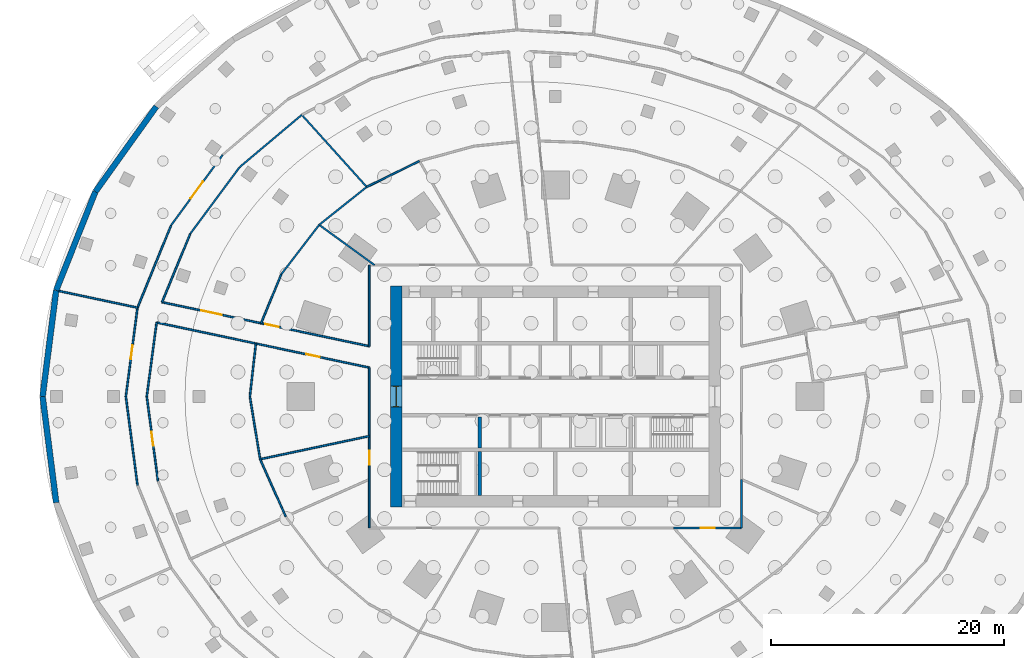
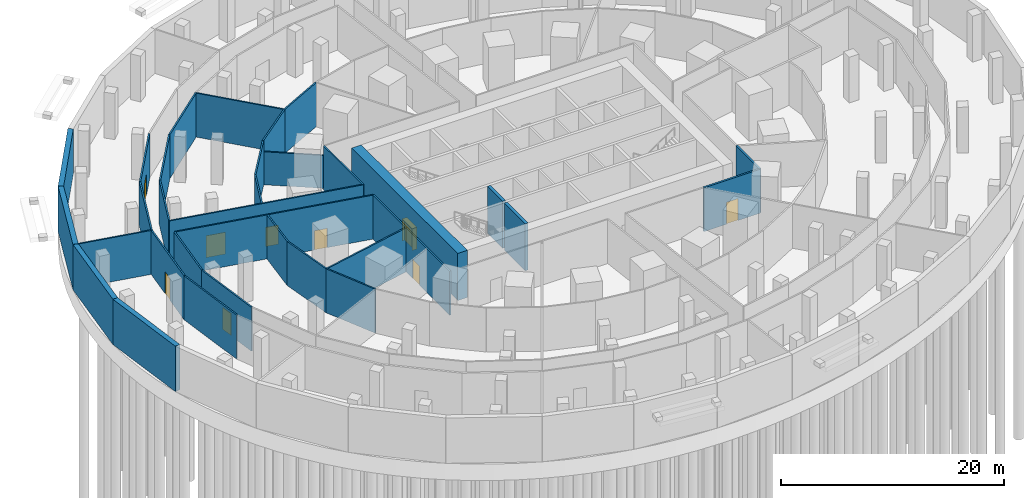
# One storey, part 5 of 11: 33 walls, 9 doors, 9 openings.
"""IFC4 building model written with IfcOpenShell, lengths in metres."""

from ifc_helpers import new_model, si_unit, direction, frame, frame_2d, origin, place, context, subcontext, project, spatial, rectangle, extrude, material, layer, layer_set, type_object, element, fill, save


model = new_model("IFC4")

# Units and contexts
model_context = context("Model", 3, precision=1e-05, world=origin(), true_north=direction((0.0, 1.0)))
body_context = subcontext(model_context, "Body", "Model", "MODEL_VIEW")
ifc_project = project(units=[si_unit("LENGTHUNIT", "METRE"), si_unit("AREAUNIT", "SQUARE_METRE"), si_unit("VOLUMEUNIT", "CUBIC_METRE"), si_unit("PLANEANGLEUNIT", "RADIAN"), si_unit("MASSUNIT", "GRAM", prefix="KILO")], contexts=[model_context])

# Site, building, storey
site_placement = place(None, origin())
site = spatial("IfcSite", under=ifc_project, at=site_placement, CompositionType="ELEMENT")
building_placement = place(site_placement, origin())
building = spatial("IfcBuilding", under=site, at=building_placement, Name="Marramba Exchange Tower", CompositionType="ELEMENT")
storey_placement = place(building_placement, frame((0.0, 0.0, -5.0)))
storey = spatial("IfcBuildingStorey", under=building, at=storey_placement, Name="B1", CompositionType="ELEMENT", Elevation=-5.0)

# Walls
ifc_material_1 = material(Name="Concrete N50", Category="concrete")
ifc_layer_1 = layer(ifc_material_1, 0.5)
ifc_layer_set_1 = layer_set([ifc_layer_1], Name="Basement retaining wall 500")
wall_type_1 = type_object("IfcWallType", Name="Basement retaining wall 500", PredefinedType="SOLIDWALL", material=ifc_layer_set_1)
wall_1_placement = place(storey_placement, frame((-34.32275390625, 24.93701171875, -0.14990234375), z_axis=(0.0, 0.0, 1.0), x_axis=(-0.581684414847, -0.813414556991, 0.0)))
element("IfcWall", 1, at=wall_1_placement, inside=storey, type_object=wall_type_1, Name="Retaining wall RW1-13", PredefinedType="SOLIDWALL", context=body_context, shape_type="SweptSolid", body=[
    extrude(rectangle(XDim=9.003662109375, YDim=0.5, at=frame_2d((4.501953125, 0.0))), origin(), (0.0, 0.0, 1.0), 4.949951171875),
])
wall_2_placement = place(storey_placement, frame((-39.56005859375, 17.61328125, -0.14990234375), z_axis=(0.0, 0.0, 1.0), x_axis=(-0.369269619769, -0.929322305724, 0.0)))
element("IfcWall", 2, at=wall_2_placement, inside=storey, type_object=wall_type_1, Name="Retaining wall RW1-14", PredefinedType="SOLIDWALL", context=body_context, shape_type="SweptSolid", body=[
    extrude(rectangle(XDim=9.133056640625, YDim=0.5, at=frame_2d((4.56640625, 0.0))), origin(), (0.0, 0.0, 1.0), 4.949951171875),
])
for number, where, z_axis, x_axis, name in (
    (3, (-42.9326171875, 9.125732421875, -0.14990234375), (0.0, 0.0, 1.0), (-0.126898549527, -0.99191570112, 0.0), "Retaining wall RW1-15"),
    (4, (-44.10009765625, 0.0, -0.14990234375), (0.0, 0.0, 1.0), (0.126898549527, -0.99191570112, 0.0), "Retaining wall RW1-16"),
):
    element("IfcWall", number, at=place(storey_placement, frame(where, z_axis=z_axis, x_axis=x_axis)), inside=storey, type_object=wall_type_1, Name=name, PredefinedType="SOLIDWALL", context=body_context, shape_type="SweptSolid", body=[
        extrude(rectangle(XDim=9.2001953125, YDim=0.5, at=frame_2d((4.60009765625, 0.0))), origin(), (0.0, 0.0, 1.0), 4.949951171875),
    ])

# Wall, opening, door
ifc_layer_2 = layer(ifc_material_1, 1.0)
ifc_layer_set_2 = layer_set([ifc_layer_2], Name="Core wall 1000")
wall_type_2 = type_object("IfcWallType", Name="Core wall 1000", PredefinedType="SHEAR", material=ifc_layer_set_2)
wall_3_placement = place(storey_placement, frame((-13.699951171875, 9.5, -0.14990234375), z_axis=(0.0, 0.0, 1.0), x_axis=(0.0, -1.0, 0.0)))
wall_3 = element("IfcWall", 5, at=wall_3_placement, inside=storey, type_object=wall_type_2, Name="Core wall W B1", PredefinedType="SHEAR", context=body_context, shape_type="SweptSolid", body=[
    extrude(rectangle(XDim=19.0, YDim=1.0, at=frame_2d((9.5, 0.0))), origin(), (0.0, 0.0, 1.0), 5.14990234375),
])
opening_1_placement = place(wall_3_placement, frame((8.60009765625, 0.0, 0.14990234375)))
opening_1 = element("IfcOpeningElement", 6, at=opening_1_placement, cuts=wall_3, Name="Opening D1", PredefinedType="OPENING", context=body_context, shape_type="SweptSolid", body=[
    extrude(rectangle(XDim=1.800048828125, YDim=2.39990234375, at=frame_2d((0.89990234375, 1.199951171875))), frame((0.0, 0.510009765625, 0.0), z_axis=(0.0, -1.0, 0.0), x_axis=(1.0, 0.0, 0.0)), (0.0, 0.0, 1.0), 1.02001953125),
])
ifc_material_2 = material(Name="Steel-framed door", Category="steel")
door_type_1 = type_object("IfcDoorType", Name="Lobby exit door 1800x2400", OperationType="DOUBLE_DOOR_SINGLE_SWING", PredefinedType="DOOR", material=ifc_material_2)
door_1_placement = place(opening_1_placement, origin())
door_1 = element("IfcDoor", 7, at=door_1_placement, inside=storey, type_object=door_type_1, Name="D1 lobby exit west B1", OperationType="DOUBLE_DOOR_SINGLE_SWING", OverallHeight=2.39990234375, OverallWidth=1.800048828125, PredefinedType="DOOR", context=body_context, shape_type="SweptSolid", body=[
    extrude(rectangle(XDim=1.719970703125, YDim=2.35986328125, at=frame_2d((0.89990234375, 1.179931640625))), frame((0.0, 0.02490234375, 0.0), z_axis=(0.0, -1.0, 0.0), x_axis=(1.0, 0.0, 0.0)), (0.0, 0.0, 1.0), 0.050048828125),
    extrude(rectangle(XDim=0.04, YDim=2.39990234375, at=frame_2d((0.02001953125, 1.199951171875))), frame((0.0, 0.25, 0.0), z_axis=(0.0, -1.0, 0.0), x_axis=(1.0, 0.0, 0.0)), (0.0, 0.0, 1.0), 0.5),
    extrude(rectangle(XDim=0.04, YDim=2.39990234375, at=frame_2d((1.780029296875, 1.199951171875))), frame((0.0, 0.25, 0.0), z_axis=(0.0, -1.0, 0.0), x_axis=(1.0, 0.0, 0.0)), (0.0, 0.0, 1.0), 0.5),
    extrude(rectangle(XDim=1.719970703125, YDim=0.04, at=frame_2d((0.89990234375, 2.3798828125))), frame((0.0, 0.25, 0.0), z_axis=(0.0, -1.0, 0.0), x_axis=(1.0, 0.0, 0.0)), (0.0, 0.0, 1.0), 0.5),
])
fill(opening_1, door_1)

# Walls
ifc_layer_3 = layer(ifc_material_1, 0.300048828125)
ifc_layer_set_3 = layer_set([ifc_layer_3], Name="Core wall 300")
wall_type_3 = type_object("IfcWallType", Name="Core wall 300", PredefinedType="SHEAR", material=ifc_layer_set_3)
wall_4_placement = place(storey_placement, frame((-6.5, -1.75, -0.14990234375), z_axis=(0.0, 0.0, 1.0), x_axis=(0.0, -1.0, 0.0)))
element("IfcWall", 8, at=wall_4_placement, inside=storey, type_object=wall_type_3, Name="Core wall X0Sa B1", PredefinedType="SHEAR", context=body_context, shape_type="SweptSolid", body=[
    extrude(rectangle(XDim=2.699951171875, YDim=0.300048828125, at=frame_2d((1.35009765625, 0.0))), origin(), (0.0, 0.0, 1.0), 5.14990234375),
])
wall_5_placement = place(storey_placement, frame((-6.5, -4.75, -0.14990234375), z_axis=(0.0, 0.0, 1.0), x_axis=(0.0, -1.0, 0.0)))
element("IfcWall", 9, at=wall_5_placement, inside=storey, type_object=wall_type_3, Name="Core wall X0Sb B1", PredefinedType="SHEAR", context=body_context, shape_type="SweptSolid", body=[
    extrude(rectangle(XDim=3.75, YDim=0.300048828125, at=frame_2d((1.875, 0.0))), origin(), (0.0, 0.0, 1.0), 5.14990234375),
])

# Wall, opening, door
ifc_material_3 = material(Name="Core-filled concrete blockwork, rendered", Category="masonry")
ifc_layer_4 = layer(ifc_material_3, 0.18994140625)
ifc_layer_set_4 = layer_set([ifc_layer_4], Name="Equipment room wall 190")
wall_type_4 = type_object("IfcWallType", Name="Equipment room wall 190", PredefinedType="SOLIDWALL", material=ifc_layer_set_4)
wall_6_placement = place(storey_placement, frame((10.174560546875, -11.300048828125, 0.0), z_axis=(0.0, 0.0, 1.0), x_axis=(1.0, 0.0, 0.0)))
wall_6 = element("IfcWall", 10, at=wall_6_placement, inside=storey, type_object=wall_type_4, Name="Equipment room wall B1 51", PredefinedType="SOLIDWALL", context=body_context, shape_type="SweptSolid", body=[
    extrude(rectangle(XDim=5.825439453125, YDim=0.18994140625, at=frame_2d((2.91259765625, 0.0))), origin(), (0.0, 0.0, 1.0), 4.800048828125),
])
opening_2_placement = place(wall_6_placement, frame((2.31298828125, 0.0, 0.0)))
opening_2 = element("IfcOpeningElement", 11, at=opening_2_placement, cuts=wall_6, Name="Opening D13", PredefinedType="OPENING", context=body_context, shape_type="SweptSolid", body=[
    extrude(rectangle(XDim=1.199951171875, YDim=2.39990234375, at=frame_2d((0.60009765625, 1.199951171875))), frame((0.0, 0.10498046875, 0.0), z_axis=(0.0, -1.0, 0.0), x_axis=(1.0, 0.0, 0.0)), (0.0, 0.0, 1.0), 0.2099609375),
])
door_type_2 = type_object("IfcDoorType", Name="Tenancy entry door 1200x2400", OperationType="SINGLE_SWING_LEFT", PredefinedType="DOOR", material=ifc_material_2)
door_2_placement = place(opening_2_placement, origin())
door_2 = element("IfcDoor", 12, at=door_2_placement, inside=storey, type_object=door_type_2, Name="D13 Records Store 1 B1", OperationType="SINGLE_SWING_RIGHT", OverallHeight=2.39990234375, OverallWidth=1.199951171875, PredefinedType="DOOR", context=body_context, shape_type="SweptSolid", body=[
    extrude(rectangle(XDim=1.199951171875, YDim=2.39990234375, at=frame_2d((0.60009765625, 1.199951171875))), frame((0.0, 0.02490234375, 0.0), z_axis=(0.0, -1.0, 0.0), x_axis=(1.0, 0.0, 0.0)), (0.0, 0.0, 1.0), 0.050048828125),
])
fill(opening_2, door_2)

# Walls
wall_7_placement = place(storey_placement, frame((16.0, -11.300048828125, 0.0), z_axis=(0.0, 0.0, 1.0), x_axis=(0.0, 1.0, 0.0)))
element("IfcWall", 13, at=wall_7_placement, inside=storey, type_object=wall_type_4, Name="Equipment room wall B1 52", PredefinedType="SOLIDWALL", context=body_context, shape_type="SweptSolid", body=[
    extrude(rectangle(XDim=4.17626953125, YDim=0.18994140625, at=frame_2d((2.088134765625, 0.0))), origin(), (0.0, 0.0, 1.0), 4.800048828125),
])
ifc_material_4 = material(Name="Fire-rated plasterboard on steel studs, acoustic insulation", Category="steel")
ifc_layer_5 = layer(ifc_material_4, 0.14990234375)
ifc_layer_set_5 = layer_set([ifc_layer_5], Name="Tenancy wall 150")
wall_type_5 = type_object("IfcWallType", Name="Tenancy wall 150", PredefinedType="PARTITIONING", material=ifc_layer_set_5)
wall_8_placement = place(storey_placement, frame((-25.39306640625, -5.3974609375, 0.0), z_axis=(0.0, 0.0, 1.0), x_axis=(-0.161241932964, 0.986914909733, 0.0)))
element("IfcWall", 14, at=wall_8_placement, inside=storey, type_object=wall_type_5, Name="Tenancy wall B1 01", PredefinedType="PARTITIONING", context=body_context, shape_type="SweptSolid", body=[
    extrude(rectangle(XDim=5.468994140625, YDim=0.14990234375, at=frame_2d((2.734375, 0.0))), origin(), (0.0, 0.0, 1.0), 4.800048828125),
])

# Wall, opening, door
wall_9_placement = place(storey_placement, frame((-34.177001953125, -7.264404296875, 0.0), z_axis=(0.0, 0.0, 1.0), x_axis=(-0.131399876951, 0.991329446923, 0.0)))
wall_9 = element("IfcWall", 15, at=wall_9_placement, inside=storey, type_object=wall_type_5, Name="Tenancy wall B1 02", PredefinedType="PARTITIONING", context=body_context, shape_type="SweptSolid", body=[
    extrude(rectangle(XDim=7.327880859375, YDim=0.14990234375, at=frame_2d((3.6640625, 0.0))), origin(), (0.0, 0.0, 1.0), 4.800048828125),
])
opening_3_placement = place(wall_9_placement, frame((3.06396484375, 0.0, 0.0)))
opening_3 = element("IfcOpeningElement", 16, at=opening_3_placement, cuts=wall_9, Name="Opening D13", PredefinedType="OPENING", context=body_context, shape_type="SweptSolid", body=[
    extrude(rectangle(XDim=1.199951171875, YDim=2.39990234375, at=frame_2d((0.60009765625, 1.199951171875))), frame((0.0, 0.0849609375, 0.0), z_axis=(0.0, -1.0, 0.0), x_axis=(1.0, 0.0, 0.0)), (0.0, 0.0, 1.0), 0.169921875),
])
door_3_placement = place(opening_3_placement, origin())
door_3 = element("IfcDoor", 17, at=door_3_placement, inside=storey, type_object=door_type_2, Name="D13 Tenant Storage 1 B1", OperationType="SINGLE_SWING_RIGHT", OverallHeight=2.39990234375, OverallWidth=1.199951171875, PredefinedType="DOOR", context=body_context, shape_type="SweptSolid", body=[
    extrude(rectangle(XDim=1.199951171875, YDim=2.39990234375, at=frame_2d((0.60009765625, 1.199951171875))), frame((0.0, 0.02490234375, 0.0), z_axis=(0.0, -1.0, 0.0), x_axis=(1.0, 0.0, 0.0)), (0.0, 0.0, 1.0), 0.050048828125),
])
fill(opening_3, door_3)

# Walls
wall_10_placement = place(storey_placement, frame((-36.93994140625, 0.0, 0.0), z_axis=(0.0, 0.0, 1.0), x_axis=(0.130081531814, -0.99150330059, 0.0)))
element("IfcWall", 18, at=wall_10_placement, inside=storey, type_object=wall_type_5, Name="Tenancy wall B1 03", PredefinedType="PARTITIONING", context=body_context, shape_type="SweptSolid", body=[
    extrude(rectangle(XDim=7.704345703125, YDim=0.14990234375, at=frame_2d((3.85205078125, 0.0))), origin(), (0.0, 0.0, 1.0), 4.800048828125),
])
wall_11_placement = place(storey_placement, frame((-16.0, -3.40087890625, 0.0), z_axis=(0.0, 0.0, 1.0), x_axis=(-0.978147089661, -0.207914095214, 0.0)))
element("IfcWall", 19, at=wall_11_placement, inside=storey, type_object=wall_type_5, Name="Tenancy wall B1 04", PredefinedType="PARTITIONING", context=body_context, shape_type="SweptSolid", body=[
    extrude(rectangle(XDim=9.60302734375, YDim=0.14990234375, at=frame_2d((4.801513671875, 0.0))), origin(), (0.0, 0.0, 1.0), 4.800048828125),
])

# Wall, opening, door
wall_12_placement = place(storey_placement, frame((-16.0, 2.480712890625, 0.0), z_axis=(0.0, 0.0, 1.0), x_axis=(0.0, -1.0, 0.0)))
wall_12 = element("IfcWall", 20, at=wall_12_placement, inside=storey, type_object=wall_type_5, Name="Tenancy wall B1 05", PredefinedType="PARTITIONING", context=body_context, shape_type="SweptSolid", body=[
    extrude(rectangle(XDim=13.78076171875, YDim=0.14990234375, at=frame_2d((6.890380859375, 0.0))), origin(), (0.0, 0.0, 1.0), 4.800048828125),
])
opening_4_placement = place(wall_12_placement, frame((7.14306640625, 0.0, 0.0)))
opening_4 = element("IfcOpeningElement", 21, at=opening_4_placement, cuts=wall_12, Name="Opening D16", PredefinedType="OPENING", context=body_context, shape_type="SweptSolid", body=[
    extrude(rectangle(XDim=1.199951171875, YDim=2.10009765625, at=frame_2d((0.60009765625, 1.050048828125))), frame((0.0, 0.0849609375, 0.0), z_axis=(0.0, -1.0, 0.0), x_axis=(1.0, 0.0, 0.0)), (0.0, 0.0, 1.0), 0.169921875),
])
door_type_3 = type_object("IfcDoorType", Name="Equipment room door 1200x2100", OperationType="SINGLE_SWING_LEFT", PredefinedType="DOOR", material=ifc_material_2)
door_4_placement = place(opening_4_placement, frame((1.199951171875, 0.0, 0.0), z_axis=(0.0, 0.0, 1.0), x_axis=(-1.0, 0.0, 0.0)))
door_4 = element("IfcDoor", 22, at=door_4_placement, inside=storey, type_object=door_type_3, Name="D16 Comms Lead-In Room B1", OperationType="SINGLE_SWING_RIGHT", OverallHeight=2.10009765625, OverallWidth=1.199951171875, PredefinedType="DOOR", context=body_context, shape_type="SweptSolid", body=[
    extrude(rectangle(XDim=1.199951171875, YDim=2.10009765625, at=frame_2d((0.599853515625, 1.050048828125))), frame((0.0, 0.025146484375, 0.0), z_axis=(0.0, -1.0, 0.0), x_axis=(1.0, 0.0, 0.0)), (0.0, 0.0, 1.0), 0.050048828125),
])
fill(opening_4, door_4)

# Walls
wall_13_placement = place(storey_placement, frame((-23.19287109375, -10.326171875, 0.0), z_axis=(0.0, 0.0, 1.0), x_axis=(-0.40763198254, 0.91314630088, 0.0)))
element("IfcWall", 23, at=wall_13_placement, inside=storey, type_object=wall_type_5, Name="Tenancy wall B1 06", PredefinedType="PARTITIONING", context=body_context, shape_type="SweptSolid", body=[
    extrude(rectangle(XDim=5.3974609375, YDim=0.14990234375, at=frame_2d((2.69873046875, 0.0))), origin(), (0.0, 0.0, 1.0), 4.800048828125),
])
wall_14_placement = place(storey_placement, frame((-16.227783203125, 18.022705078125, 0.0), z_axis=(0.0, 0.0, 1.0), x_axis=(0.897697488604, 0.440612322744, 0.0)))
element("IfcWall", 24, at=wall_14_placement, inside=storey, type_object=wall_type_5, Name="Tenancy wall B1 111", PredefinedType="PARTITIONING", context=body_context, shape_type="SweptSolid", body=[
    extrude(rectangle(XDim=5.053955078125, YDim=0.14990234375, at=frame_2d((2.52685546875, 0.0))), origin(), (0.0, 0.0, 1.0), 4.800048828125),
])
wall_15_placement = place(storey_placement, frame((-16.227783203125, 18.022705078125, 0.0), z_axis=(0.0, 0.0, 1.0), x_axis=(-0.669128034885, 0.743147140835, 0.0)))
element("IfcWall", 25, at=wall_15_placement, inside=storey, type_object=wall_type_5, Name="Tenancy wall B1 113", PredefinedType="PARTITIONING", context=body_context, shape_type="SweptSolid", body=[
    extrude(rectangle(XDim=8.341552734375, YDim=0.14990234375, at=frame_2d((4.1708984375, 0.0))), origin(), (0.0, 0.0, 1.0), 4.800048828125),
])
wall_16_placement = place(storey_placement, frame((-27.1533203125, 19.72802734375, 0.0), z_axis=(0.0, 0.0, 1.0), x_axis=(0.765373437874, 0.643586435995, 0.0)))
element("IfcWall", 26, at=wall_16_placement, inside=storey, type_object=wall_type_5, Name="Tenancy wall B1 115", PredefinedType="PARTITIONING", context=body_context, shape_type="SweptSolid", body=[
    extrude(rectangle(XDim=6.982177734375, YDim=0.14990234375, at=frame_2d((3.4912109375, 0.0))), origin(), (0.0, 0.0, 1.0), 4.800048828125),
])
wall_17_placement = place(storey_placement, frame((-20.315185546875, 14.760009765625, 0.0), z_axis=(0.0, 0.0, 1.0), x_axis=(0.781542390833, 0.623852138997, 0.0)))
element("IfcWall", 27, at=wall_17_placement, inside=storey, type_object=wall_type_5, Name="Tenancy wall B1 116", PredefinedType="PARTITIONING", context=body_context, shape_type="SweptSolid", body=[
    extrude(rectangle(XDim=5.22998046875, YDim=0.14990234375, at=frame_2d((2.614990234375, 0.0))), origin(), (0.0, 0.0, 1.0), 4.800048828125),
])
wall_18_placement = place(storey_placement, frame((-15.552978515625, 11.300048828125, 0.0), z_axis=(0.0, 0.0, 1.0), x_axis=(-0.809015782442, 0.587786920372, 0.0)))
element("IfcWall", 28, at=wall_18_placement, inside=storey, type_object=wall_type_5, Name="Tenancy wall B1 117", PredefinedType="PARTITIONING", context=body_context, shape_type="SweptSolid", body=[
    extrude(rectangle(XDim=5.886474609375, YDim=0.14990234375, at=frame_2d((2.943359375, 0.0))), origin(), (0.0, 0.0, 1.0), 3.60009765625),
])

# Wall, opening, door
wall_19_placement = place(storey_placement, frame((-28.609619140625, 20.785888671875, 0.0), z_axis=(0.0, 0.0, 1.0), x_axis=(-0.590858446285, -0.806775245315, 0.0)))
wall_19 = element("IfcWall", 29, at=wall_19_placement, inside=storey, type_object=wall_type_5, Name="Tenancy wall B1 118", PredefinedType="PARTITIONING", context=body_context, shape_type="SweptSolid", body=[
    extrude(rectangle(XDim=7.522705078125, YDim=0.14990234375, at=frame_2d((3.76123046875, 0.0))), origin(), (0.0, 0.0, 1.0), 4.800048828125),
])
opening_5_placement = place(wall_19_placement, frame((2.861083984375, 0.0, 0.0)))
opening_5 = element("IfcOpeningElement", 30, at=opening_5_placement, cuts=wall_19, Name="Opening D18", PredefinedType="OPENING", context=body_context, shape_type="SweptSolid", body=[
    extrude(rectangle(XDim=1.800048828125, YDim=2.39990234375, at=frame_2d((0.89990234375, 1.199951171875))), frame((0.0, 0.0849609375, 0.0), z_axis=(0.0, -1.0, 0.0), x_axis=(1.0, 0.0, 0.0)), (0.0, 0.0, 1.0), 0.169921875),
])
door_type_4 = type_object("IfcDoorType", Name="Door pair 1800x2400", OperationType="DOUBLE_DOOR_SINGLE_SWING", PredefinedType="DOOR", material=ifc_material_2)
door_5_placement = place(opening_5_placement, origin())
door_5 = element("IfcDoor", 31, at=door_5_placement, inside=storey, type_object=door_type_4, Name="D18 Generator Room B1", OperationType="DOUBLE_DOOR_SINGLE_SWING", OverallHeight=2.39990234375, OverallWidth=1.800048828125, PredefinedType="DOOR", context=body_context, shape_type="SweptSolid", body=[
    extrude(rectangle(XDim=1.800048828125, YDim=2.39990234375, at=frame_2d((0.89990234375, 1.199951171875))), frame((0.0, 0.02490234375, 0.0), z_axis=(0.0, -1.0, 0.0), x_axis=(1.0, 0.0, 0.0)), (0.0, 0.0, 1.0), 0.050048828125),
])
fill(opening_5, door_5)

# Walls
wall_20_placement = place(storey_placement, frame((-31.41015625, 13.984619140625, 0.0), z_axis=(0.0, 0.0, 1.0), x_axis=(0.595449673077, 0.803392610641, 0.0)))
element("IfcWall", 32, at=wall_20_placement, inside=storey, type_object=wall_type_5, Name="Tenancy wall B1 119", PredefinedType="PARTITIONING", context=body_context, shape_type="SweptSolid", body=[
    extrude(rectangle(XDim=7.14892578125, YDim=0.14990234375, at=frame_2d((3.574462890625, 0.0))), origin(), (0.0, 0.0, 1.0), 4.800048828125),
])
wall_21_placement = place(storey_placement, frame((-23.582763671875, 10.499755859375, 0.0), z_axis=(0.0, 0.0, 1.0), x_axis=(0.608593816375, 0.793481925862, 0.0)))
element("IfcWall", 33, at=wall_21_placement, inside=storey, type_object=wall_type_5, Name="Tenancy wall B1 120", PredefinedType="PARTITIONING", context=body_context, shape_type="SweptSolid", body=[
    extrude(rectangle(XDim=5.369140625, YDim=0.14990234375, at=frame_2d((2.6845703125, 0.0))), origin(), (0.0, 0.0, 1.0), 4.800048828125),
])
wall_22_placement = place(storey_placement, frame((-16.0, 11.300048828125, 0.0), z_axis=(0.0, 0.0, 1.0), x_axis=(0.0, -1.0, 0.0)))
element("IfcWall", 34, at=wall_22_placement, inside=storey, type_object=wall_type_5, Name="Tenancy wall B1 121", PredefinedType="PARTITIONING", context=body_context, shape_type="SweptSolid", body=[
    extrude(rectangle(XDim=6.97900390625, YDim=0.14990234375, at=frame_2d((3.489501953125, 0.0))), origin(), (0.0, 0.0, 1.0), 4.800048828125),
])
wall_23_placement = place(storey_placement, frame((-25.308837890625, 6.2998046875, 0.0), z_axis=(0.0, 0.0, 1.0), x_axis=(0.380125047473, 0.924935104904, 0.0)))
element("IfcWall", 35, at=wall_23_placement, inside=storey, type_object=wall_type_5, Name="Tenancy wall B1 122", PredefinedType="PARTITIONING", context=body_context, shape_type="SweptSolid", body=[
    extrude(rectangle(XDim=4.540771484375, YDim=0.14990234375, at=frame_2d((2.2705078125, 0.0))), origin(), (0.0, 0.0, 1.0), 4.800048828125),
])
wall_24_placement = place(storey_placement, frame((-33.82861328125, 8.110595703125, 0.0), z_axis=(0.0, 0.0, 1.0), x_axis=(0.380715010821, 0.924692424829, 0.0)))
element("IfcWall", 36, at=wall_24_placement, inside=storey, type_object=wall_type_5, Name="Tenancy wall B1 123", PredefinedType="PARTITIONING", context=body_context, shape_type="SweptSolid", body=[
    extrude(rectangle(XDim=6.352294921875, YDim=0.14990234375, at=frame_2d((3.17626953125, 0.0))), origin(), (0.0, 0.0, 1.0), 4.800048828125),
])
wall_25_placement = place(storey_placement, frame((-33.054443359375, 14.716796875, 0.0), z_axis=(0.0, 0.0, 1.0), x_axis=(-0.377265431085, -0.926105174647, 0.0)))
element("IfcWall", 37, at=wall_25_placement, inside=storey, type_object=wall_type_5, Name="Tenancy wall B1 124", PredefinedType="PARTITIONING", context=body_context, shape_type="SweptSolid", body=[
    extrude(rectangle(XDim=7.642578125, YDim=0.14990234375, at=frame_2d((3.8212890625, 0.0))), origin(), (0.0, 0.0, 1.0), 4.800048828125),
])

# Wall, openings, doors
wall_26_placement = place(storey_placement, frame((-16.0, 4.321044921875, 0.0), z_axis=(0.0, 0.0, 1.0), x_axis=(-0.978148024242, 0.207909698358, 0.0)))
wall_26 = element("IfcWall", 38, at=wall_26_placement, inside=storey, type_object=wall_type_5, Name="Tenancy wall B1 125", PredefinedType="PARTITIONING", context=body_context, shape_type="SweptSolid", body=[
    extrude(rectangle(XDim=18.226806640625, YDim=0.14990234375, at=frame_2d((9.11328125, 0.0))), origin(), (0.0, 0.0, 1.0), 4.800048828125),
])
opening_6_placement = place(wall_26_placement, frame((7.962890625, 0.0, 0.0)))
opening_6 = element("IfcOpeningElement", 39, at=opening_6_placement, cuts=wall_26, Name="Opening D16", PredefinedType="OPENING", context=body_context, shape_type="SweptSolid", body=[
    extrude(rectangle(XDim=1.199951171875, YDim=2.10009765625, at=frame_2d((0.60009765625, 1.050048828125))), frame((0.0, 0.0849609375, 0.0), z_axis=(0.0, -1.0, 0.0), x_axis=(1.0, 0.0, 0.0)), (0.0, 0.0, 1.0), 0.169921875),
])
opening_7_placement = place(wall_26_placement, frame((12.971923828125, 0.0, 0.0)))
opening_7 = element("IfcOpeningElement", 40, at=opening_7_placement, cuts=wall_26, Name="Opening D18", PredefinedType="OPENING", context=body_context, shape_type="SweptSolid", body=[
    extrude(rectangle(XDim=1.800048828125, YDim=2.39990234375, at=frame_2d((0.89990234375, 1.199951171875))), frame((0.0, 0.0849609375, 0.0), z_axis=(0.0, -1.0, 0.0), x_axis=(1.0, 0.0, 0.0)), (0.0, 0.0, 1.0), 0.169921875),
])
door_6_placement = place(opening_7_placement, origin())
door_6 = element("IfcDoor", 41, at=door_6_placement, inside=storey, type_object=door_type_4, Name="D18 Rainwater Tank Room B1", OperationType="DOUBLE_DOOR_SINGLE_SWING", OverallHeight=2.39990234375, OverallWidth=1.800048828125, PredefinedType="DOOR", context=body_context, shape_type="SweptSolid", body=[
    extrude(rectangle(XDim=1.800048828125, YDim=2.39990234375, at=frame_2d((0.89990234375, 1.199951171875))), frame((0.0, 0.02490234375, 0.0), z_axis=(0.0, -1.0, 0.0), x_axis=(1.0, 0.0, 0.0)), (0.0, 0.0, 1.0), 0.050048828125),
])
fill(opening_7, door_6)
door_7_placement = place(opening_6_placement, origin())
door_7 = element("IfcDoor", 42, at=door_7_placement, inside=storey, type_object=door_type_3, Name="D16 Fuel Tank Room B1", OperationType="SINGLE_SWING_LEFT", OverallHeight=2.10009765625, OverallWidth=1.199951171875, PredefinedType="DOOR", context=body_context, shape_type="SweptSolid", body=[
    extrude(rectangle(XDim=1.199951171875, YDim=2.10009765625, at=frame_2d((0.60009765625, 1.050048828125))), frame((0.0, 0.02490234375, 0.0), z_axis=(0.0, -1.0, 0.0), x_axis=(1.0, 0.0, 0.0)), (0.0, 0.0, 1.0), 0.050048828125),
])
fill(opening_6, door_7)

# Wall
wall_27_placement = place(storey_placement, frame((-35.937744140625, 7.638916015625, 0.0), z_axis=(0.0, 0.0, 1.0), x_axis=(-0.978150840557, 0.207896448065, 0.0)))
element("IfcWall", 43, at=wall_27_placement, inside=storey, type_object=wall_type_5, Name="Tenancy wall B1 126", PredefinedType="PARTITIONING", context=body_context, shape_type="SweptSolid", body=[
    extrude(rectangle(XDim=6.89453125, YDim=0.14990234375, at=frame_2d((3.447265625, 0.0))), origin(), (0.0, 0.0, 1.0), 4.800048828125),
])

# Wall, opening, door
wall_28_placement = place(storey_placement, frame((-34.295654296875, 6.36962890625, 0.0), z_axis=(0.0, 0.0, 1.0), x_axis=(0.978147006591, -0.207914486022, 0.0)))
wall_28 = element("IfcWall", 44, at=wall_28_placement, inside=storey, type_object=wall_type_5, Name="Tenancy wall B1 127", PredefinedType="PARTITIONING", context=body_context, shape_type="SweptSolid", body=[
    extrude(rectangle(XDim=18.704345703125, YDim=0.14990234375, at=frame_2d((9.35205078125, 0.0))), origin(), (0.0, 0.0, 1.0), 4.800048828125),
])
opening_8_placement = place(wall_28_placement, frame((13.14111328125, 0.0, 0.0)))
opening_8 = element("IfcOpeningElement", 45, at=opening_8_placement, cuts=wall_28, Name="Opening D16", PredefinedType="OPENING", context=body_context, shape_type="SweptSolid", body=[
    extrude(rectangle(XDim=1.199951171875, YDim=2.10009765625, at=frame_2d((0.60009765625, 1.050048828125))), frame((0.0, 0.0849609375, 0.0), z_axis=(0.0, -1.0, 0.0), x_axis=(1.0, 0.0, 0.0)), (0.0, 0.0, 1.0), 0.169921875),
])
door_8_placement = place(opening_8_placement, origin())
door_8 = element("IfcDoor", 46, at=door_8_placement, inside=storey, type_object=door_type_3, Name="D16 Sprinkler Valve Room B1", OperationType="SINGLE_SWING_RIGHT", OverallHeight=2.10009765625, OverallWidth=1.199951171875, PredefinedType="DOOR", context=body_context, shape_type="SweptSolid", body=[
    extrude(rectangle(XDim=1.199951171875, YDim=2.10009765625, at=frame_2d((0.60009765625, 1.050048828125))), frame((0.0, 0.02490234375, 0.0), z_axis=(0.0, -1.0, 0.0), x_axis=(1.0, 0.0, 0.0)), (0.0, 0.0, 1.0), 0.050048828125),
])
fill(opening_8, door_8)

wall_29_placement = place(storey_placement, frame((-35.937744140625, 7.638916015625, 0.0), z_axis=(0.0, 0.0, 1.0), x_axis=(-0.130081531814, -0.99150330059, 0.0)))
wall_29 = element("IfcWall", 47, at=wall_29_placement, inside=storey, type_object=wall_type_5, Name="Tenancy wall B1 128", PredefinedType="PARTITIONING", context=body_context, shape_type="SweptSolid", body=[
    extrude(rectangle(XDim=7.704345703125, YDim=0.14990234375, at=frame_2d((3.85205078125, 0.0))), origin(), (0.0, 0.0, 1.0), 4.800048828125),
])
opening_9_placement = place(wall_29_placement, frame((3.251953125, 0.0, 0.0)))
opening_9 = element("IfcOpeningElement", 48, at=opening_9_placement, cuts=wall_29, Name="Opening D13", PredefinedType="OPENING", context=body_context, shape_type="SweptSolid", body=[
    extrude(rectangle(XDim=1.199951171875, YDim=2.39990234375, at=frame_2d((0.60009765625, 1.199951171875))), frame((0.0, 0.0849609375, 0.0), z_axis=(0.0, -1.0, 0.0), x_axis=(1.0, 0.0, 0.0)), (0.0, 0.0, 1.0), 0.169921875),
])
door_9_placement = place(opening_9_placement, origin())
door_9 = element("IfcDoor", 49, at=door_9_placement, inside=storey, type_object=door_type_2, Name="D13 Tenant Storage 5 B1", OperationType="SINGLE_SWING_RIGHT", OverallHeight=2.39990234375, OverallWidth=1.199951171875, PredefinedType="DOOR", context=body_context, shape_type="SweptSolid", body=[
    extrude(rectangle(XDim=1.199951171875, YDim=2.39990234375, at=frame_2d((0.60009765625, 1.199951171875))), frame((0.0, 0.02490234375, 0.0), z_axis=(0.0, -1.0, 0.0), x_axis=(1.0, 0.0, 0.0)), (0.0, 0.0, 1.0), 0.050048828125),
])
fill(opening_9, door_9)

# Walls
wall_30_placement = place(storey_placement, frame((-35.139892578125, 0.0, 0.0), z_axis=(0.0, 0.0, 1.0), x_axis=(0.131392134012, 0.991330473213, 0.0)))
element("IfcWall", 50, at=wall_30_placement, inside=storey, type_object=wall_type_5, Name="Tenancy wall B1 129", PredefinedType="PARTITIONING", context=body_context, shape_type="SweptSolid", body=[
    extrude(rectangle(XDim=6.42529296875, YDim=0.14990234375, at=frame_2d((3.212646484375, 0.0))), origin(), (0.0, 0.0, 1.0), 4.800048828125),
])
wall_31_placement = place(storey_placement, frame((-26.27490234375, 0.0, 0.0), z_axis=(0.0, 0.0, 1.0), x_axis=(0.112634852962, 0.993636447549, 0.0)))
element("IfcWall", 51, at=wall_31_placement, inside=storey, type_object=wall_type_5, Name="Tenancy wall B1 130", PredefinedType="PARTITIONING", context=body_context, shape_type="SweptSolid", body=[
    extrude(rectangle(XDim=4.584228515625, YDim=0.14990234375, at=frame_2d((2.2919921875, 0.0))), origin(), (0.0, 0.0, 1.0), 4.800048828125),
])

save(model, "model.ifc")
